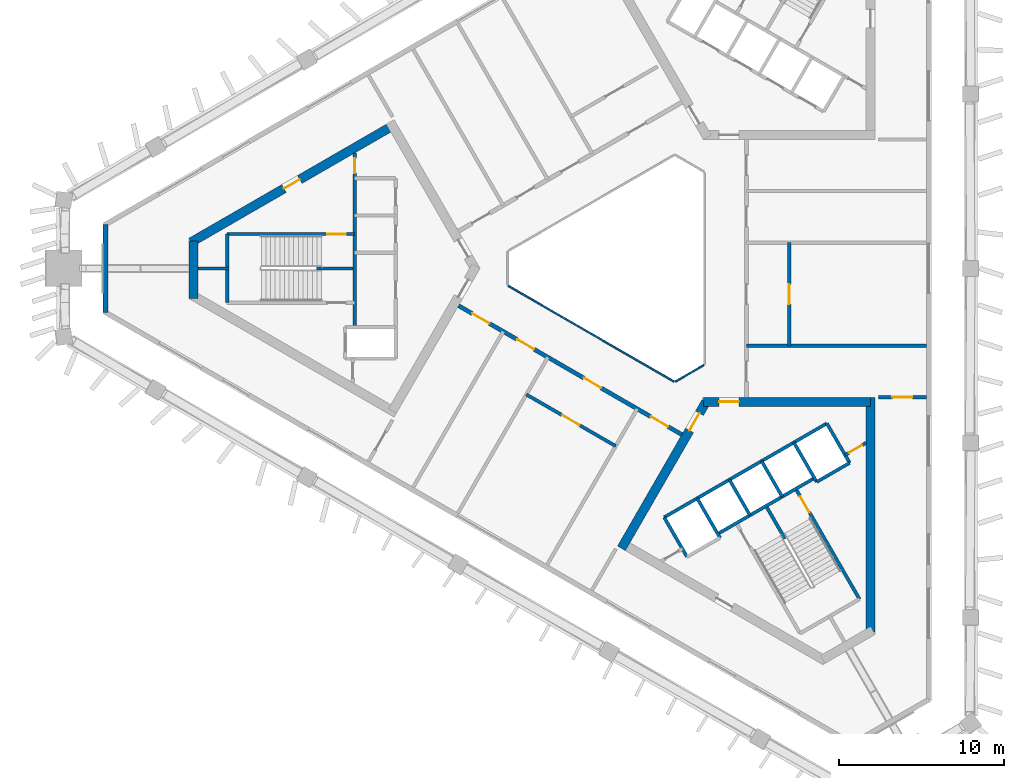
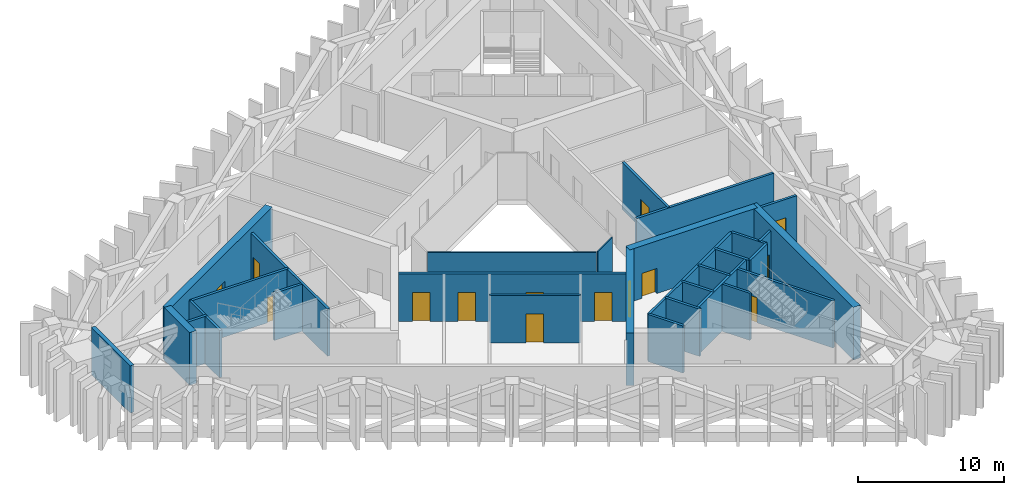
# One storey, part 4 of 9: 30 walls, 14 doors, 14 openings.
"""IFC4 building model written with IfcOpenShell, lengths in metres."""

from ifc_helpers import new_model, si_unit, direction, frame, frame_2d, origin, place, context, subcontext, project, spatial, rectangle, extrude, material, layer, layer_set, type_object, element, fill, save


model = new_model("IFC4")

# Units and contexts
model_context = context("Model", 3, precision=1e-05, world=origin(), true_north=direction((0.0, 1.0)))
body_context = subcontext(model_context, "Body", "Model", "MODEL_VIEW")
ifc_project = project(units=[si_unit("LENGTHUNIT", "METRE"), si_unit("AREAUNIT", "SQUARE_METRE"), si_unit("VOLUMEUNIT", "CUBIC_METRE"), si_unit("PLANEANGLEUNIT", "RADIAN"), si_unit("MASSUNIT", "GRAM", prefix="KILO")], contexts=[model_context])

# Site, building, storey
site_placement = place(None, origin())
site = spatial("IfcSite", under=ifc_project, at=site_placement, CompositionType="ELEMENT")
building_placement = place(site_placement, origin())
building = spatial("IfcBuilding", under=site, at=building_placement, Name="Jabali Bay Hotel Tower and Convention Centre", CompositionType="ELEMENT")
storey_placement = place(building_placement, frame((0.0, 0.0, 197.0)))
storey = spatial("IfcBuildingStorey", under=building, at=storey_placement, Name="L48", CompositionType="ELEMENT", Elevation=197.0)

# Walls
ifc_material_1 = material(Name="Fire-resistant glazing", Category="glass")
ifc_layer_1 = layer(ifc_material_1, 0.10009765625)
ifc_layer_set_1 = layer_set([ifc_layer_1], Name="Fire-resistant glazing")
wall_type_1 = type_object("IfcWallType", Name="Atrium glazed screen 100", PredefinedType="PARTITIONING", material=ifc_layer_set_1)
wall_1_placement = place(storey_placement, frame((67.7021484375, 78.947998046875, 0.0), z_axis=(0.0, 0.0, 1.0), x_axis=(0.866026658274, -0.499997827154, 0.0)))
element("IfcWall", 1, at=wall_1_placement, inside=storey, type_object=wall_type_1, Name="Atrium screen 5 L48", PredefinedType="PARTITIONING", context=body_context, shape_type="SweptSolid", body=[
    extrude(rectangle(XDim=11.58837890625, YDim=0.10009765625, at=frame_2d((5.794189453125, 0.0))), origin(), (0.0, 0.0, 1.0), 3.949951171875),
])
wall_2_placement = place(storey_placement, frame((77.7978515625, 73.15380859375, 0.0), z_axis=(0.0, 0.0, 1.0), x_axis=(0.866041268327, 0.499972520799, 0.0)))
element("IfcWall", 2, at=wall_2_placement, inside=storey, type_object=wall_type_1, Name="Atrium screen 6 L48", PredefinedType="PARTITIONING", context=body_context, shape_type="SweptSolid", body=[
    extrude(rectangle(XDim=2.0, YDim=0.10009765625, at=frame_2d((1.0, 0.0))), origin(), (0.0, 0.0, 1.0), 3.949951171875),
])
ifc_material_2 = material(Name="Concrete C40", Category="concrete")
ifc_layer_2 = layer(ifc_material_2, 0.199951171875)
ifc_layer_set_2 = layer_set([ifc_layer_2], Name="Concrete C40")
wall_type_2 = type_object("IfcWallType", Name="Core partition wall 200", PredefinedType="PARTITIONING", material=ifc_layer_set_2)
wall_3_placement = place(storey_placement, frame((50.820068359375, 80.0, 0.0), z_axis=(0.0, 0.0, 1.0), x_axis=(-1.0, 0.0, 0.0)))
element("IfcWall", 3, at=wall_3_placement, inside=storey, type_object=wall_type_2, Name="Core wall 0.5 L48", PredefinedType="PARTITIONING", context=body_context, shape_type="SweptSolid", body=[
    extrude(rectangle(XDim=1.873046875, YDim=0.199951171875, at=frame_2d((0.9365234375, 0.0))), origin(), (0.0, 0.0, 1.0), 3.949951171875),
])

# Wall, opening, door
wall_4_placement = place(storey_placement, frame((88.064697265625, 68.72119140625, 0.0), z_axis=(0.0, 0.0, 1.0), x_axis=(0.865982457891, 0.500074377092, 0.0)))
wall_4 = element("IfcWall", 4, at=wall_4_placement, inside=storey, type_object=wall_type_2, Name="Core wall 2.12 L48", PredefinedType="PARTITIONING", context=body_context, shape_type="SweptSolid", body=[
    extrude(rectangle(XDim=1.461181640625, YDim=0.199951171875, at=frame_2d((0.73046875, 0.0))), origin(), (0.0, 0.0, 1.0), 3.949951171875),
])
opening_1_placement = place(wall_4_placement, frame((0.280517578125, 0.0, 0.0)))
opening_1 = element("IfcOpeningElement", 5, at=opening_1_placement, cuts=wall_4, Name="Opening D1047", PredefinedType="OPENING", context=body_context, shape_type="SweptSolid", body=[
    extrude(rectangle(XDim=0.89990234375, YDim=2.10009765625, at=frame_2d((0.449951171875, 1.050048828125))), frame((0.0, 0.1103515625, 0.0), z_axis=(0.0, -1.0, 0.0), x_axis=(1.0, 0.0, 0.0)), (0.0, 0.0, 1.0), 0.220947265625),
])
ifc_material_3 = material(Name="Fire-rated steel door", Category="steel")
door_type_1 = type_object("IfcDoorType", Name="Vestibule fire door 900 x 2100", OperationType="NOTDEFINED", PredefinedType="NOTDEFINED", material=ifc_material_3)
door_1_placement = place(opening_1_placement, origin())
door_1 = element("IfcDoor", 6, at=door_1_placement, inside=storey, type_object=door_type_1, Name="Vestibule fire door D1047", OperationType="SINGLE_SWING_LEFT", OverallHeight=2.10009765625, OverallWidth=0.89990234375, PredefinedType="NOTDEFINED", context=body_context, shape_type="SweptSolid", body=[
    extrude(rectangle(XDim=0.89990234375, YDim=2.10009765625, at=frame_2d((0.449951171875, 1.050048828125))), frame((0.0, 0.02490234375, 0.0), z_axis=(0.0, -1.0, 0.0), x_axis=(1.0, 0.0, 0.0)), (0.0, 0.0, 1.0), 0.050048828125),
])
fill(opening_1, door_1)

ifc_layer_3 = layer(ifc_material_2, 0.199951171875)
ifc_layer_set_3 = layer_set([ifc_layer_3], Name="Concrete C40")
wall_type_3 = type_object("IfcWallType", Name="Core stair wall 200", PredefinedType="SOLIDWALL", material=ifc_layer_set_3)
wall_5_placement = place(storey_placement, frame((58.419921875, 82.074951171875, 0.0), z_axis=(0.0, 0.0, 1.0), x_axis=(-1.0, 0.0, 0.0)))
wall_5 = element("IfcWall", 7, at=wall_5_placement, inside=storey, type_object=wall_type_3, Name="Core wall 0.2 L48", PredefinedType="SOLIDWALL", context=body_context, shape_type="SweptSolid", body=[
    extrude(rectangle(XDim=7.699951171875, YDim=0.199951171875, at=frame_2d((3.85009765625, 0.0))), origin(), (0.0, 0.0, 1.0), 3.949951171875),
])
opening_2_placement = place(wall_5_placement, frame((0.550048828125, 0.0, 0.0)))
opening_2 = element("IfcOpeningElement", 8, at=opening_2_placement, cuts=wall_5, Name="Opening D1036", PredefinedType="OPENING", context=body_context, shape_type="SweptSolid", body=[
    extrude(rectangle(XDim=1.10009765625, YDim=2.10009765625, at=frame_2d((0.550048828125, 1.050048828125))), frame((0.0, 0.1103515625, 0.0), z_axis=(0.0, -1.0, 0.0), x_axis=(1.0, 0.0, 0.0)), (0.0, 0.0, 1.0), 0.220947265625),
])
door_type_2 = type_object("IfcDoorType", Name="Stair fire door 1100 x 2100", OperationType="NOTDEFINED", PredefinedType="NOTDEFINED", material=ifc_material_3)
door_2_placement = place(opening_2_placement, origin())
door_2 = element("IfcDoor", 9, at=door_2_placement, inside=storey, type_object=door_type_2, Name="Stair fire door D1036", OperationType="SINGLE_SWING_LEFT", OverallHeight=2.10009765625, OverallWidth=1.10009765625, PredefinedType="NOTDEFINED", context=body_context, shape_type="SweptSolid", body=[
    extrude(rectangle(XDim=1.10009765625, YDim=2.10009765625, at=frame_2d((0.550048828125, 1.050048828125))), frame((0.0, 0.02490234375, 0.0), z_axis=(0.0, -1.0, 0.0), x_axis=(1.0, 0.0, 0.0)), (0.0, 0.0, 1.0), 0.050048828125),
])
fill(opening_2, door_2)

# Wall
wall_6_placement = place(storey_placement, frame((58.320068359375, 80.0, 0.0), z_axis=(0.0, 0.0, 1.0), x_axis=(-1.0, 0.0, 0.0)))
element("IfcWall", 10, at=wall_6_placement, inside=storey, type_object=wall_type_3, Name="Core wall 0.4 L48", PredefinedType="SOLIDWALL", context=body_context, shape_type="SweptSolid", body=[
    extrude(rectangle(XDim=2.199951171875, YDim=0.199951171875, at=frame_2d((1.10009765625, 0.0))), origin(), (0.0, 0.0, 1.0), 3.949951171875),
])

# Wall, opening, door
wall_7_placement = place(storey_placement, frame((58.419921875, 86.974365234375, 0.0), z_axis=(0.0, 0.0, 1.0), x_axis=(0.0, -1.0, 0.0)))
wall_7 = element("IfcWall", 11, at=wall_7_placement, inside=storey, type_object=wall_type_3, Name="Core wall 0.10 L48", PredefinedType="SOLIDWALL", context=body_context, shape_type="SweptSolid", body=[
    extrude(rectangle(XDim=10.5244140625, YDim=0.199951171875, at=frame_2d((5.26220703125, 0.0))), origin(), (0.0, 0.0, 1.0), 3.949951171875),
])
opening_3_placement = place(wall_7_placement, frame((0.312255859375, 0.0, 0.0)))
opening_3 = element("IfcOpeningElement", 12, at=opening_3_placement, cuts=wall_7, Name="Opening D1034", PredefinedType="OPENING", context=body_context, shape_type="SweptSolid", body=[
    extrude(rectangle(XDim=0.89990234375, YDim=2.10009765625, at=frame_2d((0.449951171875, 1.050048828125))), frame((0.0, 0.1103515625, 0.0), z_axis=(0.0, -1.0, 0.0), x_axis=(1.0, 0.0, 0.0)), (0.0, 0.0, 1.0), 0.220947265625),
])
door_3_placement = place(opening_3_placement, origin())
door_3 = element("IfcDoor", 13, at=door_3_placement, inside=storey, type_object=door_type_1, Name="Vestibule fire door D1034", OperationType="SINGLE_SWING_LEFT", OverallHeight=2.10009765625, OverallWidth=0.89990234375, PredefinedType="NOTDEFINED", context=body_context, shape_type="SweptSolid", body=[
    extrude(rectangle(XDim=0.89990234375, YDim=2.10009765625, at=frame_2d((0.449951171875, 1.050048828125))), frame((0.0, 0.02490234375, 0.0), z_axis=(0.0, -1.0, 0.0), x_axis=(1.0, 0.0, 0.0)), (0.0, 0.0, 1.0), 0.050048828125),
])
fill(opening_3, door_3)

# Walls
wall_8_placement = place(storey_placement, frame((50.719970703125, 82.074951171875, 0.0), z_axis=(0.0, 0.0, 1.0), x_axis=(0.0, -1.0, 0.0)))
element("IfcWall", 14, at=wall_8_placement, inside=storey, type_object=wall_type_3, Name="Core wall 0.13 L48", PredefinedType="SOLIDWALL", context=body_context, shape_type="SweptSolid", body=[
    extrude(rectangle(XDim=4.14990234375, YDim=0.199951171875, at=frame_2d((2.074951171875, 0.0))), origin(), (0.0, 0.0, 1.0), 3.949951171875),
])
for number, where, z_axis, x_axis, name in (
    (15, (77.13525390625, 64.95166015625, 0.0), (0.0, 0.0, 1.0), (0.499996545922, -0.866027397988, 0.0), "Core wall 2.0 L48"),
    (16, (79.127197265625, 66.1015625, 0.0), (0.0, 0.0, 1.0), (0.499996545922, -0.866027397988, 0.0), "Core wall 2.1 L48"),
):
    element("IfcWall", number, at=place(storey_placement, frame(where, z_axis=z_axis, x_axis=x_axis)), inside=storey, type_object=wall_type_3, Name=name, PredefinedType="SOLIDWALL", context=body_context, shape_type="SweptSolid", body=[
        extrude(rectangle(XDim=2.75, YDim=0.199951171875, at=frame_2d((1.375, 0.0))), origin(), (0.0, 0.0, 1.0), 3.949951171875),
    ])
wall_9_placement = place(storey_placement, frame((81.07568359375, 67.2265625, 0.0), z_axis=(0.0, 0.0, 1.0), x_axis=(0.50000366821, -0.866023285932, 0.0)))
element("IfcWall", 17, at=wall_9_placement, inside=storey, type_object=wall_type_3, Name="Core wall 2.3 L48", PredefinedType="SOLIDWALL", context=body_context, shape_type="SweptSolid", body=[
    extrude(rectangle(XDim=2.47998046875, YDim=0.199951171875, at=frame_2d((1.239990234375, 0.0))), origin(), (0.0, 0.0, 1.0), 3.949951171875),
])
wall_10_placement = place(storey_placement, frame((83.340087890625, 65.5546875, 0.0), z_axis=(0.0, 0.0, 1.0), x_axis=(0.499946605688, -0.86605622881, 0.0)))
element("IfcWall", 18, at=wall_10_placement, inside=storey, type_object=wall_type_3, Name="Core wall 2.4 L48", PredefinedType="SOLIDWALL", context=body_context, shape_type="SweptSolid", body=[
    extrude(rectangle(XDim=2.199951171875, YDim=0.199951171875, at=frame_2d((1.10009765625, 0.0))), origin(), (0.0, 0.0, 1.0), 3.949951171875),
])
wall_11_placement = place(storey_placement, frame((83.024169921875, 68.3515625, 0.0), z_axis=(0.0, 0.0, 1.0), x_axis=(0.50000366821, -0.866023285932, 0.0)))
element("IfcWall", 19, at=wall_11_placement, inside=storey, type_object=wall_type_3, Name="Core wall 2.6 L48", PredefinedType="SOLIDWALL", context=body_context, shape_type="SweptSolid", body=[
    extrude(rectangle(XDim=2.47998046875, YDim=0.199951171875, at=frame_2d((1.239990234375, 0.0))), origin(), (0.0, 0.0, 1.0), 3.949951171875),
])

# Wall, opening, door
wall_12_placement = place(storey_placement, frame((85.0869140625, 66.6787109375, 0.0), z_axis=(0.0, 0.0, 1.0), x_axis=(0.500019787375, -0.866013979237, 0.0)))
wall_12 = element("IfcWall", 20, at=wall_12_placement, inside=storey, type_object=wall_type_3, Name="Core wall 2.7 L48", PredefinedType="SOLIDWALL", context=body_context, shape_type="SweptSolid", body=[
    extrude(rectangle(XDim=7.699951171875, YDim=0.199951171875, at=frame_2d((3.85009765625, 0.0))), origin(), (0.0, 0.0, 1.0), 3.949951171875),
])
opening_4_placement = place(wall_12_placement, frame((0.550048828125, 0.0, 0.0)))
opening_4 = element("IfcOpeningElement", 21, at=opening_4_placement, cuts=wall_12, Name="Opening D1049", PredefinedType="OPENING", context=body_context, shape_type="SweptSolid", body=[
    extrude(rectangle(XDim=1.10009765625, YDim=2.10009765625, at=frame_2d((0.550048828125, 1.050048828125))), frame((0.0, 0.1103515625, 0.0), z_axis=(0.0, -1.0, 0.0), x_axis=(1.0, 0.0, 0.0)), (0.0, 0.0, 1.0), 0.220947265625),
])
door_4_placement = place(opening_4_placement, origin())
door_4 = element("IfcDoor", 22, at=door_4_placement, inside=storey, type_object=door_type_2, Name="Stair fire door D1049", OperationType="SINGLE_SWING_RIGHT", OverallHeight=2.10009765625, OverallWidth=1.10009765625, PredefinedType="NOTDEFINED", context=body_context, shape_type="SweptSolid", body=[
    extrude(rectangle(XDim=1.10009765625, YDim=2.10009765625, at=frame_2d((0.550048828125, 1.050048828125))), frame((0.0, 0.02490234375, 0.0), z_axis=(0.0, -1.0, 0.0), x_axis=(1.0, 0.0, 0.0)), (0.0, 0.0, 1.0), 0.050048828125),
])
fill(opening_4, door_4)

# Walls
for number, where, z_axis, x_axis, name in (
    (23, (84.972900390625, 69.4765625, 0.0), (0.0, 0.0, 1.0), (0.499996545922, -0.866027397988, 0.0), "Core wall 2.8 L48"),
    (24, (86.964599609375, 70.62646484375, 0.0), (0.0, 0.0, 1.0), (0.499996545922, -0.866027397988, 0.0), "Core wall 2.9 L48"),
):
    element("IfcWall", number, at=place(storey_placement, frame(where, z_axis=z_axis, x_axis=x_axis)), inside=storey, type_object=wall_type_3, Name=name, PredefinedType="SOLIDWALL", context=body_context, shape_type="SweptSolid", body=[
        extrude(rectangle(XDim=2.75, YDim=0.199951171875, at=frame_2d((1.375, 0.0))), origin(), (0.0, 0.0, 1.0), 3.949951171875),
    ])
wall_13_placement = place(storey_placement, frame((77.13525390625, 64.95166015625, 0.0), z_axis=(0.0, 0.0, 1.0), x_axis=(0.866031916153, 0.499988720078, 0.0)))
element("IfcWall", 25, at=wall_13_placement, inside=storey, type_object=wall_type_3, Name="Core wall 2.10 L48", PredefinedType="SOLIDWALL", context=body_context, shape_type="SweptSolid", body=[
    extrude(rectangle(XDim=11.349853515625, YDim=0.199951171875, at=frame_2d((5.6748046875, 0.0))), origin(), (0.0, 0.0, 1.0), 3.949951171875),
])
wall_14_placement = place(storey_placement, frame((80.3671875, 63.953857421875, 0.0), z_axis=(0.0, 0.0, 1.0), x_axis=(0.866026575979, 0.499997969693, 0.0)))
element("IfcWall", 26, at=wall_14_placement, inside=storey, type_object=wall_type_3, Name="Core wall 2.13 L48", PredefinedType="SOLIDWALL", context=body_context, shape_type="SweptSolid", body=[
    extrude(rectangle(XDim=6.75, YDim=0.199951171875, at=frame_2d((3.375, 0.0))), origin(), (0.0, 0.0, 1.0), 3.949951171875),
])
wall_15_placement = place(storey_placement, frame((86.347900390625, 67.094970703125, 0.0), z_axis=(0.0, 0.0, 1.0), x_axis=(0.86602648383, 0.499998129301, 0.0)))
element("IfcWall", 27, at=wall_15_placement, inside=storey, type_object=wall_type_3, Name="Core wall 2.15 L48", PredefinedType="SOLIDWALL", context=body_context, shape_type="SweptSolid", body=[
    extrude(rectangle(XDim=2.2998046875, YDim=0.199951171875, at=frame_2d((1.14990234375, 0.0))), origin(), (0.0, 0.0, 1.0), 3.949951171875),
])

# Wall, opening, door
ifc_material_4 = material(Name="Concrete C60", Category="concrete")
ifc_layer_4 = layer(ifc_material_4, 0.550048828125)
ifc_layer_set_4 = layer_set([ifc_layer_4], Name="Concrete C60")
wall_type_4 = type_object("IfcWallType", Name="Core wall 550", PredefinedType="SHEAR", material=ifc_layer_set_4)
wall_16_placement = place(storey_placement, frame((60.709228515625, 88.61376953125, 0.0), z_axis=(0.0, 0.0, 1.0), x_axis=(-0.866020164116, -0.500009075263, 0.0)))
wall_16 = element("IfcWall", 28, at=wall_16_placement, inside=storey, type_object=wall_type_4, Name="Core wall 1.2 L48", PredefinedType="SHEAR", context=body_context, shape_type="SweptSolid", body=[
    extrude(rectangle(XDim=14.058349609375, YDim=0.550048828125, at=frame_2d((7.029296875, 0.0))), origin(), (0.0, 0.0, 1.0), 4.39990234375),
])
opening_5_placement = place(wall_16_placement, frame((6.47509765625, 0.0, 0.0)))
opening_5 = element("IfcOpeningElement", 29, at=opening_5_placement, cuts=wall_16, Name="Opening D1037", PredefinedType="OPENING", context=body_context, shape_type="SweptSolid", body=[
    extrude(rectangle(XDim=1.10009765625, YDim=2.10009765625, at=frame_2d((0.550048828125, 1.050048828125))), frame((0.0, 0.28564453125, 0.0), z_axis=(0.0, -1.0, 0.0), x_axis=(1.0, 0.0, 0.0)), (0.0, 0.0, 1.0), 0.571044921875),
])
door_type_3 = type_object("IfcDoorType", Name="Vestibule fire door 1100 x 2100", OperationType="NOTDEFINED", PredefinedType="NOTDEFINED", material=ifc_material_3)
door_5_placement = place(opening_5_placement, origin())
door_5 = element("IfcDoor", 30, at=door_5_placement, inside=storey, type_object=door_type_3, Name="Vestibule fire door D1037", OperationType="SINGLE_SWING_RIGHT", OverallHeight=2.10009765625, OverallWidth=1.10009765625, PredefinedType="NOTDEFINED", context=body_context, shape_type="SweptSolid", body=[
    extrude(rectangle(XDim=1.10009765625, YDim=2.10009765625, at=frame_2d((0.550048828125, 1.050048828125))), frame((0.0, 0.02490234375, 0.0), z_axis=(0.0, -1.0, 0.0), x_axis=(1.0, 0.0, 0.0)), (0.0, 0.0, 1.0), 0.050048828125),
])
fill(opening_5, door_5)

# Wall
wall_17_placement = place(storey_placement, frame((48.671875, 81.663818359375, 0.0), z_axis=(0.0, 0.0, 1.0), x_axis=(0.0, -1.0, 0.0)))
element("IfcWall", 31, at=wall_17_placement, inside=storey, type_object=wall_type_4, Name="Core wall 1.3 L48", PredefinedType="SHEAR", context=body_context, shape_type="SweptSolid", body=[
    extrude(rectangle(XDim=3.486572265625, YDim=0.550048828125, at=frame_2d((1.7431640625, 0.0))), origin(), (0.0, 0.0, 1.0), 4.39990234375),
])

# Wall, opening, door
wall_18_placement = place(storey_placement, frame((79.65869140625, 71.9306640625, 0.0), z_axis=(0.0, 0.0, 1.0), x_axis=(-0.500000202252, -0.866025287014, 0.0)))
wall_18 = element("IfcWall", 32, at=wall_18_placement, inside=storey, type_object=wall_type_4, Name="Core wall 3.1 L48", PredefinedType="SHEAR", context=body_context, shape_type="SweptSolid", body=[
    extrude(rectangle(XDim=10.22119140625, YDim=0.550048828125, at=frame_2d((5.110595703125, 0.0))), origin(), (0.0, 0.0, 1.0), 4.39990234375),
])
opening_6_placement = place(wall_18_placement, frame((0.791259765625, 0.0, 0.0)))
opening_6 = element("IfcOpeningElement", 33, at=opening_6_placement, cuts=wall_18, Name="Opening D1045", PredefinedType="OPENING", context=body_context, shape_type="SweptSolid", body=[
    extrude(rectangle(XDim=1.199951171875, YDim=2.10009765625, at=frame_2d((0.60009765625, 1.050048828125))), frame((0.0, 0.28564453125, 0.0), z_axis=(0.0, -1.0, 0.0), x_axis=(1.0, 0.0, 0.0)), (0.0, 0.0, 1.0), 0.571044921875),
])
door_type_4 = type_object("IfcDoorType", Name="Corridor end fire door 1200 x 2100", OperationType="NOTDEFINED", PredefinedType="NOTDEFINED", material=ifc_material_3)
door_6_placement = place(opening_6_placement, origin())
door_6 = element("IfcDoor", 34, at=door_6_placement, inside=storey, type_object=door_type_4, Name="Corridor end fire door D1045", OperationType="SINGLE_SWING_RIGHT", OverallHeight=2.10009765625, OverallWidth=1.199951171875, PredefinedType="NOTDEFINED", context=body_context, shape_type="SweptSolid", body=[
    extrude(rectangle(XDim=1.199951171875, YDim=2.10009765625, at=frame_2d((0.60009765625, 1.050048828125))), frame((0.0, 0.02490234375, 0.0), z_axis=(0.0, -1.0, 0.0), x_axis=(1.0, 0.0, 0.0)), (0.0, 0.0, 1.0), 0.050048828125),
])
fill(opening_6, door_6)

# Wall
wall_19_placement = place(storey_placement, frame((89.60498046875, 58.03125, 0.0), z_axis=(0.0, 0.0, 1.0), x_axis=(0.0, 1.0, 0.0)))
element("IfcWall", 35, at=wall_19_placement, inside=storey, type_object=wall_type_4, Name="Core wall 3.4 L48", PredefinedType="SHEAR", context=body_context, shape_type="SweptSolid", body=[
    extrude(rectangle(XDim=14.174560546875, YDim=0.550048828125, at=frame_2d((7.08740234375, 0.0))), origin(), (0.0, 0.0, 1.0), 4.39990234375),
])

# Wall, opening, door
wall_20_placement = place(storey_placement, frame((89.60498046875, 71.9306640625, 0.0), z_axis=(0.0, 0.0, 1.0), x_axis=(-1.0, 0.0, 0.0)))
wall_20 = element("IfcWall", 36, at=wall_20_placement, inside=storey, type_object=wall_type_4, Name="Core wall 3.5 L48", PredefinedType="SHEAR", context=body_context, shape_type="SweptSolid", body=[
    extrude(rectangle(XDim=10.10498046875, YDim=0.550048828125, at=frame_2d((5.052490234375, 0.0))), origin(), (0.0, 0.0, 1.0), 4.39990234375),
])
opening_7_placement = place(wall_20_placement, frame((7.955078125, 0.0, 0.0)))
opening_7 = element("IfcOpeningElement", 37, at=opening_7_placement, cuts=wall_20, Name="Opening D1046", PredefinedType="OPENING", context=body_context, shape_type="SweptSolid", body=[
    extrude(rectangle(XDim=1.199951171875, YDim=2.10009765625, at=frame_2d((0.60009765625, 1.050048828125))), frame((0.0, 0.28564453125, 0.0), z_axis=(0.0, -1.0, 0.0), x_axis=(1.0, 0.0, 0.0)), (0.0, 0.0, 1.0), 0.571044921875),
])
door_7_placement = place(opening_7_placement, origin())
door_7 = element("IfcDoor", 38, at=door_7_placement, inside=storey, type_object=door_type_4, Name="Corridor end fire door D1046", OperationType="SINGLE_SWING_LEFT", OverallHeight=2.10009765625, OverallWidth=1.199951171875, PredefinedType="NOTDEFINED", context=body_context, shape_type="SweptSolid", body=[
    extrude(rectangle(XDim=1.199951171875, YDim=2.10009765625, at=frame_2d((0.60009765625, 1.050048828125))), frame((0.0, 0.02490234375, 0.0), z_axis=(0.0, -1.0, 0.0), x_axis=(1.0, 0.0, 0.0)), (0.0, 0.0, 1.0), 0.050048828125),
])
fill(opening_7, door_7)

# Wall, openings, doors
ifc_layer_5 = layer(ifc_material_4, 0.25)
ifc_layer_set_5 = layer_set([ifc_layer_5], Name="Concrete C60")
wall_type_5 = type_object("IfcWallType", Name="Corridor wall 250", PredefinedType="SHEAR", material=ifc_layer_set_5)
wall_21_placement = place(storey_placement, frame((64.699951171875, 77.748291015625, 0.0), z_axis=(0.0, 0.0, 1.0), x_axis=(0.866026492143, -0.499998114903, 0.0)))
wall_21 = element("IfcWall", 39, at=wall_21_placement, inside=storey, type_object=wall_type_5, Name="Corridor wall 3 L48", PredefinedType="SHEAR", context=body_context, shape_type="SweptSolid", body=[
    extrude(rectangle(XDim=15.58837890625, YDim=0.25, at=frame_2d((7.794189453125, 0.0))), origin(), (0.0, 0.0, 1.0), 3.949951171875),
])
opening_8_placement = place(wall_21_placement, frame((0.958740234375, 0.0, 0.0)))
opening_8 = element("IfcOpeningElement", 40, at=opening_8_placement, cuts=wall_21, Name="Opening 4811", PredefinedType="OPENING", context=body_context, shape_type="SweptSolid", body=[
    extrude(rectangle(XDim=1.199951171875, YDim=2.39990234375, at=frame_2d((0.60009765625, 1.199951171875))), frame((0.0, 0.135498046875, 0.0), z_axis=(0.0, -1.0, 0.0), x_axis=(1.0, 0.0, 0.0)), (0.0, 0.0, 1.0), 0.27099609375),
])
opening_9_placement = place(wall_21_placement, frame((4.076416015625, 0.0, 0.0)))
opening_9 = element("IfcOpeningElement", 41, at=opening_9_placement, cuts=wall_21, Name="Opening 4812", PredefinedType="OPENING", context=body_context, shape_type="SweptSolid", body=[
    extrude(rectangle(XDim=1.199951171875, YDim=2.39990234375, at=frame_2d((0.60009765625, 1.199951171875))), frame((0.0, 0.135498046875, 0.0), z_axis=(0.0, -1.0, 0.0), x_axis=(1.0, 0.0, 0.0)), (0.0, 0.0, 1.0), 0.27099609375),
])
opening_10_placement = place(wall_21_placement, frame((8.753173828125, 0.0, 0.0)))
opening_10 = element("IfcOpeningElement", 42, at=opening_10_placement, cuts=wall_21, Name="Opening 4813", PredefinedType="OPENING", context=body_context, shape_type="SweptSolid", body=[
    extrude(rectangle(XDim=1.199951171875, YDim=2.39990234375, at=frame_2d((0.60009765625, 1.199951171875))), frame((0.0, 0.135498046875, 0.0), z_axis=(0.0, -1.0, 0.0), x_axis=(1.0, 0.0, 0.0)), (0.0, 0.0, 1.0), 0.27099609375),
])
opening_11_placement = place(wall_21_placement, frame((13.4296875, 0.0, 0.0)))
opening_11 = element("IfcOpeningElement", 43, at=opening_11_placement, cuts=wall_21, Name="Opening 4815", PredefinedType="OPENING", context=body_context, shape_type="SweptSolid", body=[
    extrude(rectangle(XDim=1.199951171875, YDim=2.39990234375, at=frame_2d((0.60009765625, 1.199951171875))), frame((0.0, 0.135498046875, 0.0), z_axis=(0.0, -1.0, 0.0), x_axis=(1.0, 0.0, 0.0)), (0.0, 0.0, 1.0), 0.27099609375),
])
ifc_material_5 = material(Name="Steel Q355B", Category="steel")
door_type_5 = type_object("IfcDoorType", Name="Plant room door 1200 x 2400", OperationType="NOTDEFINED", PredefinedType="NOTDEFINED", material=ifc_material_5)
door_8_placement = place(opening_8_placement, origin())
door_8 = element("IfcDoor", 44, at=door_8_placement, inside=storey, type_object=door_type_5, Name="Door 4811", OperationType="SINGLE_SWING_LEFT", OverallHeight=2.39990234375, OverallWidth=1.199951171875, PredefinedType="NOTDEFINED", context=body_context, shape_type="SweptSolid", body=[
    extrude(rectangle(XDim=1.199951171875, YDim=2.39990234375, at=frame_2d((0.60009765625, 1.199951171875))), frame((0.0, 0.02490234375, 0.0), z_axis=(0.0, -1.0, 0.0), x_axis=(1.0, 0.0, 0.0)), (0.0, 0.0, 1.0), 0.050048828125),
])
fill(opening_8, door_8)
door_9_placement = place(opening_9_placement, origin())
door_9 = element("IfcDoor", 45, at=door_9_placement, inside=storey, type_object=door_type_5, Name="Door 4812", OperationType="SINGLE_SWING_LEFT", OverallHeight=2.39990234375, OverallWidth=1.199951171875, PredefinedType="NOTDEFINED", context=body_context, shape_type="SweptSolid", body=[
    extrude(rectangle(XDim=1.199951171875, YDim=2.39990234375, at=frame_2d((0.60009765625, 1.199951171875))), frame((0.0, 0.02490234375, 0.0), z_axis=(0.0, -1.0, 0.0), x_axis=(1.0, 0.0, 0.0)), (0.0, 0.0, 1.0), 0.050048828125),
])
fill(opening_9, door_9)
door_10_placement = place(opening_11_placement, origin())
door_10 = element("IfcDoor", 46, at=door_10_placement, inside=storey, type_object=door_type_5, Name="Door 4815", OperationType="SINGLE_SWING_RIGHT", OverallHeight=2.39990234375, OverallWidth=1.199951171875, PredefinedType="NOTDEFINED", context=body_context, shape_type="SweptSolid", body=[
    extrude(rectangle(XDim=1.199951171875, YDim=2.39990234375, at=frame_2d((0.60009765625, 1.199951171875))), frame((0.0, 0.02490234375, 0.0), z_axis=(0.0, -1.0, 0.0), x_axis=(1.0, 0.0, 0.0)), (0.0, 0.0, 1.0), 0.050048828125),
])
fill(opening_11, door_10)
door_type_6 = type_object("IfcDoorType", Name="Refuge hall door 1200 x 2400", OperationType="NOTDEFINED", PredefinedType="NOTDEFINED", material=ifc_material_5)
door_11_placement = place(opening_10_placement, origin())
door_11 = element("IfcDoor", 47, at=door_11_placement, inside=storey, type_object=door_type_6, Name="Door 4813", OperationType="SINGLE_SWING_RIGHT", OverallHeight=2.39990234375, OverallWidth=1.199951171875, PredefinedType="NOTDEFINED", context=body_context, shape_type="SweptSolid", body=[
    extrude(rectangle(XDim=1.199951171875, YDim=2.39990234375, at=frame_2d((0.60009765625, 1.199951171875))), frame((0.0, 0.02490234375, 0.0), z_axis=(0.0, -1.0, 0.0), x_axis=(1.0, 0.0, 0.0)), (0.0, 0.0, 1.0), 0.050048828125),
])
fill(opening_10, door_11)

# Wall
ifc_layer_6 = layer(ifc_material_2, 0.300048828125)
ifc_layer_set_6 = layer_set([ifc_layer_6], Name="Concrete C40")
wall_type_6 = type_object("IfcWallType", Name="External wall 300", PredefinedType="SOLIDWALL", material=ifc_layer_set_6)
wall_22_placement = place(storey_placement, frame((43.362060546875, 77.333251953125, 0.0), z_axis=(0.0, 0.0, 1.0), x_axis=(0.0, 1.0, 0.0)))
element("IfcWall", 48, at=wall_22_placement, inside=storey, type_object=wall_type_6, Name="External wall west chamfer L48", PredefinedType="SOLIDWALL", context=body_context, shape_type="SweptSolid", body=[
    extrude(rectangle(XDim=5.33349609375, YDim=0.300048828125, at=frame_2d((2.666748046875, 0.0))), origin(), (0.0, 0.0, 1.0), 3.949951171875),
])

# Wall, opening, door
ifc_material_6 = material(Name="Plasterboard on steel stud", Category="steel")
ifc_layer_7 = layer(ifc_material_6, 0.199951171875)
ifc_layer_set_7 = layer_set([ifc_layer_7], Name="Plasterboard on steel stud")
wall_type_7 = type_object("IfcWallType", Name="Partition 200 plant", PredefinedType="PARTITIONING", material=ifc_layer_set_7)
wall_23_placement = place(storey_placement, frame((92.9794921875, 72.205810546875, 0.0), z_axis=(0.0, 0.0, 1.0), x_axis=(-1.0, 0.0, 0.0)))
wall_23 = element("IfcWall", 49, at=wall_23_placement, inside=storey, type_object=wall_type_7, Name="Partition P04 L48 002", PredefinedType="PARTITIONING", context=body_context, shape_type="SweptSolid", body=[
    extrude(rectangle(XDim=2.900390625, YDim=0.199951171875, at=frame_2d((1.4501953125, 0.0))), origin(), (0.0, 0.0, 1.0), 3.949951171875),
])
opening_12_placement = place(wall_23_placement, frame((0.85009765625, 0.0, 0.0)))
opening_12 = element("IfcOpeningElement", 50, at=opening_12_placement, cuts=wall_23, Name="Opening 4818", PredefinedType="OPENING", context=body_context, shape_type="SweptSolid", body=[
    extrude(rectangle(XDim=1.199951171875, YDim=2.39990234375, at=frame_2d((0.60009765625, 1.199951171875))), frame((0.0, 0.1103515625, 0.0), z_axis=(0.0, -1.0, 0.0), x_axis=(1.0, 0.0, 0.0)), (0.0, 0.0, 1.0), 0.220947265625),
])
ifc_material_7 = material(Name="Timber", Category="wood")
door_type_7 = type_object("IfcDoorType", Name="Public room door 1200 x 2400", OperationType="NOTDEFINED", PredefinedType="NOTDEFINED", material=ifc_material_7)
door_12_placement = place(opening_12_placement, origin())
door_12 = element("IfcDoor", 51, at=door_12_placement, inside=storey, type_object=door_type_7, Name="Door 4818", OperationType="SINGLE_SWING_LEFT", OverallHeight=2.39990234375, OverallWidth=1.199951171875, PredefinedType="NOTDEFINED", context=body_context, shape_type="SweptSolid", body=[
    extrude(rectangle(XDim=1.199951171875, YDim=2.39990234375, at=frame_2d((0.60009765625, 1.199951171875))), frame((0.0, 0.02490234375, 0.0), z_axis=(0.0, -1.0, 0.0), x_axis=(1.0, 0.0, 0.0)), (0.0, 0.0, 1.0), 0.050048828125),
])
fill(opening_12, door_12)

# Wall
ifc_layer_8 = layer(ifc_material_6, 0.199951171875)
ifc_layer_set_8 = layer_set([ifc_layer_8], Name="Plasterboard on steel stud")
wall_type_8 = type_object("IfcWallType", Name="Partition 200 refuge", PredefinedType="PARTITIONING", material=ifc_layer_set_8)
wall_24_placement = place(storey_placement, frame((92.9794921875, 75.323486328125, 0.0), z_axis=(0.0, 0.0, 1.0), x_axis=(-1.0, 0.0, 0.0)))
element("IfcWall", 52, at=wall_24_placement, inside=storey, type_object=wall_type_8, Name="Partition P05 L48 001", PredefinedType="PARTITIONING", context=body_context, shape_type="SweptSolid", body=[
    extrude(rectangle(XDim=10.87939453125, YDim=0.199951171875, at=frame_2d((5.439697265625, 0.0))), origin(), (0.0, 0.0, 1.0), 3.949951171875),
])

# Wall, opening, door
wall_25_placement = place(storey_placement, frame((84.699951171875, 75.323486328125, 0.0), z_axis=(0.0, 0.0, 1.0), x_axis=(0.0, 1.0, 0.0)))
wall_25 = element("IfcWall", 53, at=wall_25_placement, inside=storey, type_object=wall_type_8, Name="Partition P05 L48 003", PredefinedType="PARTITIONING", context=body_context, shape_type="SweptSolid", body=[
    extrude(rectangle(XDim=6.2353515625, YDim=0.199951171875, at=frame_2d((3.11767578125, 0.0))), origin(), (0.0, 0.0, 1.0), 3.949951171875),
])
opening_13_placement = place(wall_25_placement, frame((2.51806640625, 0.0, 0.0)))
opening_13 = element("IfcOpeningElement", 54, at=opening_13_placement, cuts=wall_25, Name="Opening 4803", PredefinedType="OPENING", context=body_context, shape_type="SweptSolid", body=[
    extrude(rectangle(XDim=1.199951171875, YDim=2.39990234375, at=frame_2d((0.60009765625, 1.199951171875))), frame((0.0, 0.1103515625, 0.0), z_axis=(0.0, -1.0, 0.0), x_axis=(1.0, 0.0, 0.0)), (0.0, 0.0, 1.0), 0.220947265625),
])
door_13_placement = place(opening_13_placement, origin())
door_13 = element("IfcDoor", 55, at=door_13_placement, inside=storey, type_object=door_type_6, Name="Door 4803", OperationType="SINGLE_SWING_RIGHT", OverallHeight=2.39990234375, OverallWidth=1.199951171875, PredefinedType="NOTDEFINED", context=body_context, shape_type="SweptSolid", body=[
    extrude(rectangle(XDim=1.199951171875, YDim=2.39990234375, at=frame_2d((0.60009765625, 1.199951171875))), frame((0.0, 0.02490234375, 0.0), z_axis=(0.0, -1.0, 0.0), x_axis=(1.0, 0.0, 0.0)), (0.0, 0.0, 1.0), 0.050048828125),
])
fill(opening_13, door_13)

wall_26_placement = place(storey_placement, frame((68.800048828125, 72.37890625, 0.0), z_axis=(0.0, 0.0, 1.0), x_axis=(0.866022576681, -0.500004896655, 0.0)))
wall_26 = element("IfcWall", 56, at=wall_26_placement, inside=storey, type_object=wall_type_8, Name="Partition P05 L48 016", PredefinedType="PARTITIONING", context=body_context, shape_type="SweptSolid", body=[
    extrude(rectangle(XDim=6.2353515625, YDim=0.199951171875, at=frame_2d((3.11767578125, 0.0))), origin(), (0.0, 0.0, 1.0), 3.949951171875),
])
opening_14_placement = place(wall_26_placement, frame((2.51806640625, 0.0, 0.0)))
opening_14 = element("IfcOpeningElement", 57, at=opening_14_placement, cuts=wall_26, Name="Opening 4814", PredefinedType="OPENING", context=body_context, shape_type="SweptSolid", body=[
    extrude(rectangle(XDim=1.199951171875, YDim=2.39990234375, at=frame_2d((0.60009765625, 1.199951171875))), frame((0.0, 0.1103515625, 0.0), z_axis=(0.0, -1.0, 0.0), x_axis=(1.0, 0.0, 0.0)), (0.0, 0.0, 1.0), 0.220947265625),
])
door_14_placement = place(opening_14_placement, origin())
door_14 = element("IfcDoor", 58, at=door_14_placement, inside=storey, type_object=door_type_6, Name="Door 4814", OperationType="SINGLE_SWING_RIGHT", OverallHeight=2.39990234375, OverallWidth=1.199951171875, PredefinedType="NOTDEFINED", context=body_context, shape_type="SweptSolid", body=[
    extrude(rectangle(XDim=1.199951171875, YDim=2.39990234375, at=frame_2d((0.60009765625, 1.199951171875))), frame((0.0, 0.02490234375, 0.0), z_axis=(0.0, -1.0, 0.0), x_axis=(1.0, 0.0, 0.0)), (0.0, 0.0, 1.0), 0.050048828125),
])
fill(opening_14, door_14)

save(model, "model.ifc")
